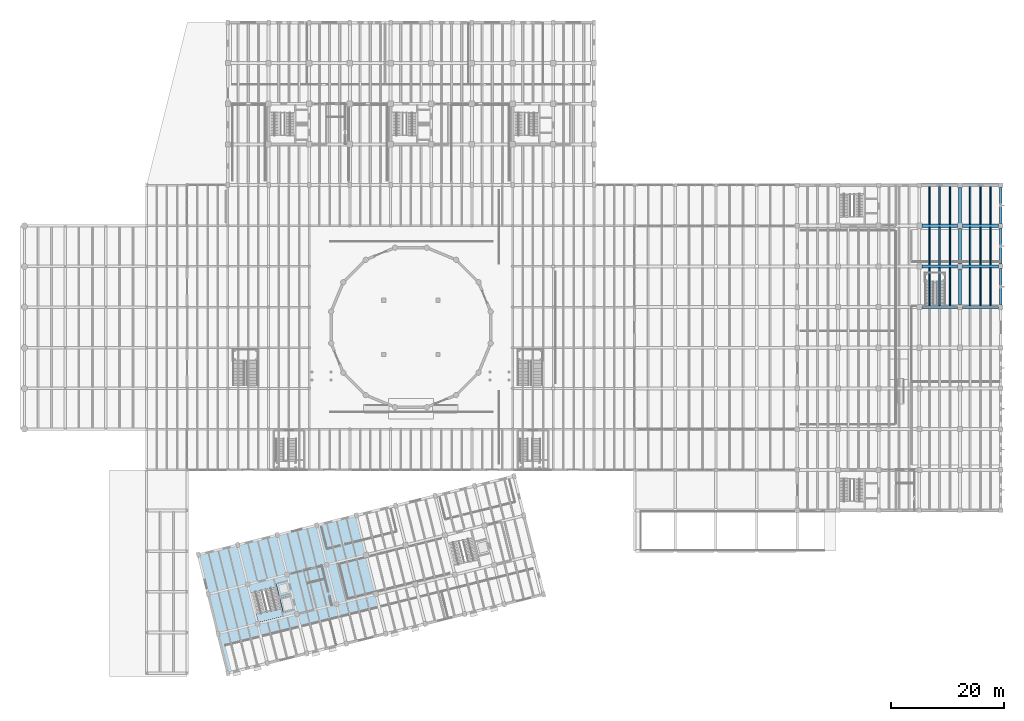
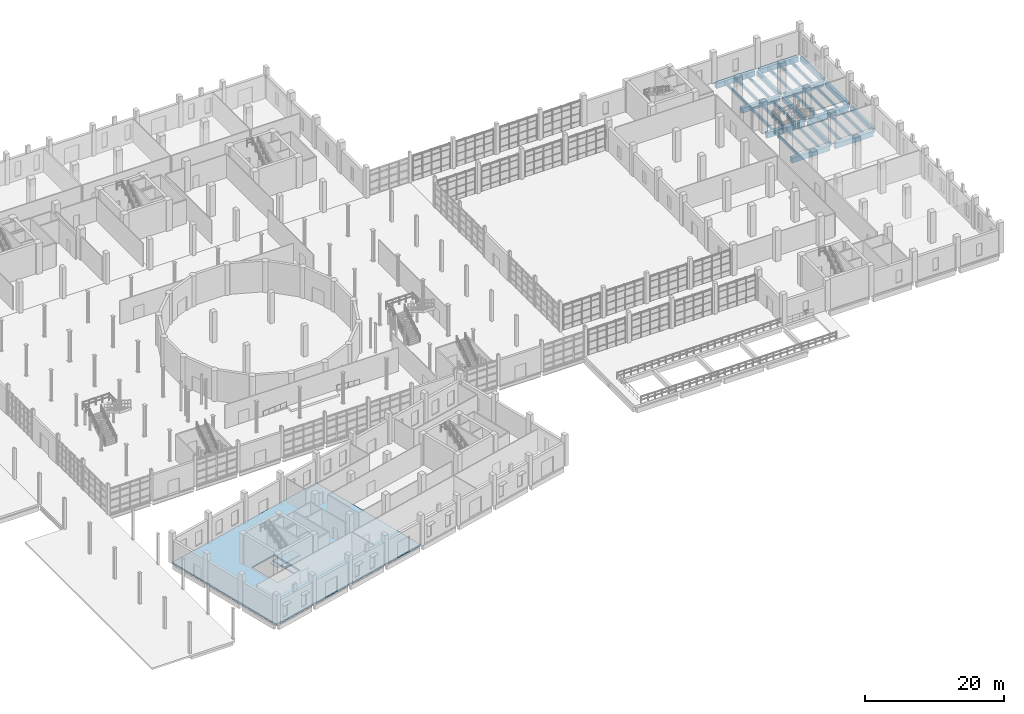
# One storey, part 47 of 79: 32 beams, 4 slabs, 1 element without a shape of its own.
"""IFC4 building model written with IfcOpenShell, lengths in metres."""

import ifcopenshell
import ifcopenshell.guid

model = None  # the IFC model being written
_history = None  # IfcOwnerHistory: only IFC2X3 demands one
_inside = {}  # id of a spatial element -> (the spatial element, [elements in it])
_under = {}  # id of a project, library or spatial element -> (it, [spatial elements below it])
_declared = {}  # id of a project -> (the project, [libraries it declares])
_typed = {}  # id of a type object -> (the type object, [elements of that type])
_made_of = {}  # id of a material, layer set ... -> (it, [elements and type objects made of it])


def new_model(schema):
    """Start an empty IFC model of exactly this schema.

    Asked for "IFC4X3", IfcOpenShell would pick the latest addendum, in which some entities
    have other attributes; the version numbers below select the first issue.
    IFC2X3 requires an IfcOwnerHistory on every rooted entity: one is made here for all.
    """
    global model, _history
    if schema == "IFC4X3":
        model = ifcopenshell.file(schema_version=(4, 3, 0, 0))
    else:
        model = ifcopenshell.file(schema=schema)
    _inside.clear()
    _under.clear()
    _declared.clear()
    _typed.clear()
    _made_of.clear()
    _history = None
    if model.schema == "IFC2X3":
        org = make("IfcOrganization", Name="unknown")
        user = make(
            "IfcPersonAndOrganization",
            ThePerson=make("IfcPerson", FamilyName="unknown"),
            TheOrganization=org,
        )
        app = make(
            "IfcApplication",
            ApplicationDeveloper=org,
            Version="unknown",
            ApplicationFullName="unknown",
            ApplicationIdentifier="unknown",
        )
        _history = make(
            "IfcOwnerHistory",
            OwningUser=user,
            OwningApplication=app,
            ChangeAction="ADDED",
            CreationDate=0,
        )
    return model


def make(cls, **values):
    """One entity of the class cls with the attributes given. An attribute that is None is left unset."""
    return model.create_entity(
        cls, **{name: value for name, value in values.items() if value is not None}
    )


def rooted(cls, **values):
    """An entity with a GlobalId (a new one), such as an element, a storey or a relation."""
    return make(cls, GlobalId=ifcopenshell.guid.new(), OwnerHistory=_history, **values)


def si_unit(unit_type, name, prefix=None):
    """IfcSIUnit, for example si_unit("LENGTHUNIT", "METRE", prefix="MILLI")."""
    return make("IfcSIUnit", UnitType=unit_type, Prefix=prefix, Name=name)


def assignment(units):
    """IfcUnitAssignment: the units of a project."""
    return None if units is None else make("IfcUnitAssignment", Units=units)


def point(xyz):
    """IfcCartesianPoint."""
    return None if xyz is None else make("IfcCartesianPoint", Coordinates=xyz)


def direction(xyz):
    """IfcDirection."""
    return None if xyz is None else make("IfcDirection", DirectionRatios=xyz)


def frame(location, z_axis=None, x_axis=None):
    """IfcAxis2Placement3D, a coordinate frame: its origin and axes. An axis left out is left unset."""
    return make(
        "IfcAxis2Placement3D",
        Location=point(location),
        Axis=direction(z_axis),
        RefDirection=direction(x_axis),
    )


def frame_2d(location, x_axis=None):
    """IfcAxis2Placement2D, a coordinate frame in the plane: its origin and x axis."""
    return make(
        "IfcAxis2Placement2D", Location=point(location), RefDirection=direction(x_axis)
    )


def origin():
    """The frame at (0, 0, 0) with its axes left unset."""
    return frame((0.0, 0.0, 0.0))


def origin_2d():
    """The frame at (0, 0) in the plane with its x axis left unset."""
    return frame_2d((0.0, 0.0))


def place(relative_to, where):
    """IfcLocalPlacement: puts the frame where relative to a parent placement (None: the world)."""
    return make(
        "IfcLocalPlacement", PlacementRelTo=relative_to, RelativePlacement=where
    )


def context(
    kind, dimensions, precision=None, world=None, true_north=None, identifier=None
):
    """IfcGeometricRepresentationContext, for example the 3D "Model" context."""
    return make(
        "IfcGeometricRepresentationContext",
        ContextIdentifier=identifier,
        ContextType=kind,
        CoordinateSpaceDimension=dimensions,
        Precision=precision,
        WorldCoordinateSystem=world,
        TrueNorth=true_north,
    )


def subcontext(parent, identifier, kind, view, scale=None):
    """IfcGeometricRepresentationSubContext, for example "Body" below "Model"."""
    return make(
        "IfcGeometricRepresentationSubContext",
        ContextIdentifier=identifier,
        ContextType=kind,
        ParentContext=parent,
        TargetScale=scale,
        TargetView=view,
    )


def project(units=None, contexts=None):
    """IfcProject with its units and contexts."""
    return rooted(
        "IfcProject",
        Name="project",
        RepresentationContexts=contexts,
        UnitsInContext=assignment(units),
    )


def spatial(cls, under=None, at=None, **own):
    """A site, building, storey or space (cls), placed at a placement, below another one or the project."""
    s = rooted(cls, ObjectPlacement=at, **own)
    if under is not None:
        _under.setdefault(under.id(), (under, []))[1].append(s)
    return s


def polyline(points):
    """IfcPolyline through the points."""
    return make("IfcPolyline", Points=[point(p) for p in points])


def profile(cls, at=None, kind="AREA", **sizes):
    """A parametric profile (cls). Its sizes go by their IFC names, for example OverallWidth=200.0."""
    return make(cls, ProfileType=kind, Position=at, **sizes)


def rectangle(**sizes):
    """IfcRectangleProfileDef."""
    return profile("IfcRectangleProfileDef", **sizes)


def outline(outer, holes=None, kind="AREA"):
    """IfcArbitraryClosedProfileDef: a profile drawn as a closed curve; with holes, ...WithVoids."""
    if holes is None:
        return make("IfcArbitraryClosedProfileDef", ProfileType=kind, OuterCurve=outer)
    return make(
        "IfcArbitraryProfileDefWithVoids",
        ProfileType=kind,
        OuterCurve=outer,
        InnerCurves=holes,
    )


def extrude(swept, where, along, depth):
    """IfcExtrudedAreaSolid: the profile swept, set in the frame where, extruded along a direction by depth."""
    return make(
        "IfcExtrudedAreaSolid",
        SweptArea=swept,
        Position=where,
        ExtrudedDirection=direction(along),
        Depth=depth,
    )


def shape(context_of_items, identifier, shape_type, items):
    """IfcShapeRepresentation: the items that make up one representation, for example the "Body"."""
    return make(
        "IfcShapeRepresentation",
        ContextOfItems=context_of_items,
        RepresentationIdentifier=identifier,
        RepresentationType=shape_type,
        Items=items,
    )


def material(Name=None, Category=None):
    """IfcMaterial."""
    return make("IfcMaterial", Name=Name, Category=Category)


def layer(
    of_material, thickness, ventilated=None, Name=None, Category=None, Priority=None
):
    """IfcMaterialLayer: one layer of a wall or slab, of a material (None: an air gap)."""
    return make(
        "IfcMaterialLayer",
        Material=of_material,
        LayerThickness=thickness,
        IsVentilated=ventilated,
        Name=Name,
        Category=Category,
        Priority=Priority,
    )


def layer_set(layers, Name=None):
    """IfcMaterialLayerSet."""
    return make("IfcMaterialLayerSet", MaterialLayers=layers, LayerSetName=Name)


def material_profile(
    of_material, cross_section, Name=None, Category=None, Priority=None
):
    """IfcMaterialProfile: a cross section and its material."""
    return make(
        "IfcMaterialProfile",
        Name=Name,
        Material=of_material,
        Profile=cross_section,
        Priority=Priority,
        Category=Category,
    )


def profile_set(profiles, Name=None, composite=None):
    """IfcMaterialProfileSet."""
    return make(
        "IfcMaterialProfileSet",
        Name=Name,
        MaterialProfiles=profiles,
        CompositeProfile=composite,
    )


def made_of(thing, what):
    """Note that an element or type object is made of a material, layer set ...; save() writes the relation."""
    if what is not None:
        _made_of.setdefault(what.id(), (what, []))[1].append(thing)
    return thing


def type_object(cls, material=None, **own):
    """A type object (cls), such as IfcWallType, which elements share."""
    return made_of(rooted(cls, **own), material)


def element(
    cls,
    number,
    at=None,
    inside=None,
    cuts=None,
    type_object=None,
    material=None,
    context=None,
    identifier="Body",
    shape_type=None,
    held_by="IfcProductDefinitionShape",
    body=None,
    shapes=None,
    **own,
):
    """One element of the class cls, such as IfcWall. Its Tag is "e" and its number.

    at: its placement. inside: the storey or other place that contains it. cuts: it is an
    opening in that element (IfcRelVoidsElement). A single representation is given by context,
    identifier, shape_type and body (its items); several are given by shapes. held_by: the class
    of the entity that holds the representations. save() writes the other relations.
    """
    e = rooted(cls, Tag="e%d" % number, ObjectPlacement=at, **own)
    if body is not None:
        shapes = [shape(context, identifier, shape_type, body)]
    if shapes is not None:
        e.Representation = make(held_by, Representations=shapes)
    if inside is not None:
        _inside.setdefault(inside.id(), (inside, []))[1].append(e)
    if cuts is not None:
        rooted(
            "IfcRelVoidsElement", RelatingBuildingElement=cuts, RelatedOpeningElement=e
        )
    if type_object is not None:
        _typed.setdefault(type_object.id(), (type_object, []))[1].append(e)
    return made_of(e, material)


def aggregate(whole, parts):
    """IfcRelAggregates: a whole, such as a stair, and the parts it consists of."""
    return rooted("IfcRelAggregates", RelatingObject=whole, RelatedObjects=parts)


def save(model, path):
    """Write the relations noted so far, then the file.

    IfcRelAggregates (storeys below a building ...), IfcRelContainedInSpatialStructure (elements
    in a storey), IfcRelDefinesByType, IfcRelAssociatesMaterial and IfcRelDeclares: one each for
    every whole, place, type object, material and project.
    """
    for whole, parts in _under.values():
        aggregate(whole, parts)
    for where, things in _inside.values():
        rooted(
            "IfcRelContainedInSpatialStructure",
            RelatedElements=things,
            RelatingStructure=where,
        )
    for kind, things in _typed.values():
        rooted("IfcRelDefinesByType", RelatedObjects=things, RelatingType=kind)
    for what, things in _made_of.values():
        rooted("IfcRelAssociatesMaterial", RelatedObjects=things, RelatingMaterial=what)
    for by, libraries in _declared.values():
        rooted("IfcRelDeclares", RelatingContext=by, RelatedDefinitions=libraries)
    model.write(path)


model = new_model("IFC4")

# Units and contexts
model_context = context("Model", 3, precision=1e-05, world=origin(), true_north=direction((0.0, 1.0)))
body_context = subcontext(model_context, "Body", "Model", "MODEL_VIEW")
ifc_project = project(units=[si_unit("LENGTHUNIT", "METRE"), si_unit("AREAUNIT", "SQUARE_METRE"), si_unit("VOLUMEUNIT", "CUBIC_METRE"), si_unit("PLANEANGLEUNIT", "RADIAN"), si_unit("MASSUNIT", "GRAM", prefix="KILO")], contexts=[model_context])

# Site, building, storey
site_placement = place(None, origin())
site = spatial("IfcSite", under=ifc_project, at=site_placement, CompositionType="ELEMENT")
building_placement = place(site_placement, origin())
building = spatial("IfcBuilding", under=site, at=building_placement, Name="Qiaolan Assembly House", CompositionType="ELEMENT")
storey_placement = place(building_placement, origin())
storey = spatial("IfcBuildingStorey", under=building, at=storey_placement, Name="L00", CompositionType="ELEMENT", Elevation=0.0)

# Beams
ifc_material_1 = material(Name="Concrete C40/50", Category="concrete")
ifc_material_profile_1 = material_profile(ifc_material_1, rectangle(XDim=0.449951171875, YDim=0.800048828125, at=origin_2d()), Name="RCB 450x800")
ifc_profile_set_1 = profile_set([ifc_material_profile_1], Name="Concrete C40/50")
beam_type_1 = type_object("IfcBeamType", Name="BM-RC-450x800", PredefinedType="BEAM", material=ifc_profile_set_1)
for number, where, z_axis, x_axis, name in (
    (1, (165.60009765625, 65.239990234375, -0.739990234375), (0.0, 1.0, 0.0), (-1.0, 0.0, 0.0), "GB-03 beam BMY-LB-L00-04-05"),
    (2, (165.60009765625, 72.43994140625, -0.739990234375), (0.0, 1.0, 0.0), (-1.0, 0.0, 0.0), "GB-03 beam BMY-LB-L00-04-06"),
):
    element("IfcBeam", number, at=place(storey_placement, frame(where, z_axis=z_axis, x_axis=x_axis)), inside=storey, type_object=beam_type_1, Name=name, PredefinedType="BEAM", context=body_context, shape_type="SweptSolid", body=[
        extrude(rectangle(XDim=0.449951171875, YDim=0.800048828125, at=origin_2d()), origin(), (0.0, 0.0, 1.0), 6.320068359375),
    ])
beam_1_placement = place(storey_placement, frame((165.60009765625, 79.639892578125, -0.739990234375), z_axis=(0.0, 1.0, 0.0), x_axis=(-1.0, 0.0, 0.0)))
element("IfcBeam", 3, at=beam_1_placement, inside=storey, type_object=beam_type_1, Name="GB-03 beam BMY-LB-L00-04-07", PredefinedType="BEAM", context=body_context, shape_type="SweptSolid", body=[
    extrude(rectangle(XDim=0.449951171875, YDim=0.800048828125, at=origin_2d()), origin(), (0.0, 0.0, 1.0), 6.3701171875),
])
for number, where, z_axis, x_axis, name in (
    (4, (172.800048828125, 65.18994140625, -0.739990234375), (0.0, 1.0, 0.0), (-1.0, 0.0, 0.0), "GB-03 beam BMY-LB-L00-05-05"),
    (5, (172.800048828125, 72.389892578125, -0.739990234375), (0.0, 1.0, 0.0), (-1.0, 0.0, 0.0), "GB-03 beam BMY-LB-L00-05-06"),
):
    element("IfcBeam", number, at=place(storey_placement, frame(where, z_axis=z_axis, x_axis=x_axis)), inside=storey, type_object=beam_type_1, Name=name, PredefinedType="BEAM", context=body_context, shape_type="SweptSolid", body=[
        extrude(rectangle(XDim=0.449951171875, YDim=0.800048828125, at=origin_2d()), origin(), (0.0, 0.0, 1.0), 6.420166015625),
    ])
beam_2_placement = place(storey_placement, frame((172.800048828125, 79.590087890625, -0.739990234375), z_axis=(0.0, 1.0, 0.0), x_axis=(-1.0, 0.0, 0.0)))
element("IfcBeam", 6, at=beam_2_placement, inside=storey, type_object=beam_type_1, Name="GB-03 beam BMY-LB-L00-05-07", PredefinedType="BEAM", context=body_context, shape_type="SweptSolid", body=[
    extrude(rectangle(XDim=0.449951171875, YDim=0.800048828125, at=origin_2d()), origin(), (0.0, 0.0, 1.0), 6.419921875),
])
ifc_material_2 = material(Name="Concrete C45/55", Category="concrete")
ifc_material_profile_2 = material_profile(ifc_material_2, rectangle(XDim=0.550048828125, YDim=0.89990234375, at=origin_2d()), Name="RCB 550x900")
ifc_profile_set_2 = profile_set([ifc_material_profile_2], Name="Concrete C45/55")
beam_type_2 = type_object("IfcBeamType", Name="BM-RC-550x900", PredefinedType="BEAM", material=ifc_profile_set_2)
beam_3_placement = place(storey_placement, frame((158.840087890625, 64.800048828125, -0.7900390625), z_axis=(1.0, 0.0, 0.0), x_axis=(0.0, 1.0, 0.0)))
element("IfcBeam", 7, at=beam_3_placement, inside=storey, type_object=beam_type_2, Name="GB-01 beam BMX-LB-L00-03-05", PredefinedType="BEAM", context=body_context, shape_type="SweptSolid", body=[
    extrude(rectangle(XDim=0.550048828125, YDim=0.89990234375, at=origin_2d()), origin(), (0.0, 0.0, 1.0), 6.31982421875),
])
beam_4_placement = place(storey_placement, frame((166.0400390625, 64.800048828125, -0.7900390625), z_axis=(1.0, 0.0, 0.0), x_axis=(0.0, 1.0, 0.0)))
element("IfcBeam", 8, at=beam_4_placement, inside=storey, type_object=beam_type_2, Name="GB-01 beam BMX-LB-L00-04-05", PredefinedType="BEAM", context=body_context, shape_type="SweptSolid", body=[
    extrude(rectangle(XDim=0.550048828125, YDim=0.89990234375, at=origin_2d()), origin(), (0.0, 0.0, 1.0), 6.369873046875),
])
beam_5_placement = place(storey_placement, frame((158.840087890625, 72.0, -0.7900390625), z_axis=(1.0, 0.0, 0.0), x_axis=(0.0, 1.0, 0.0)))
element("IfcBeam", 9, at=beam_5_placement, inside=storey, type_object=beam_type_2, Name="GB-01 beam BMX-LB-L00-03-06", PredefinedType="BEAM", context=body_context, shape_type="SweptSolid", body=[
    extrude(rectangle(XDim=0.550048828125, YDim=0.89990234375, at=origin_2d()), origin(), (0.0, 0.0, 1.0), 6.31982421875),
])
beam_6_placement = place(storey_placement, frame((166.0400390625, 72.0, -0.7900390625), z_axis=(1.0, 0.0, 0.0), x_axis=(0.0, 1.0, 0.0)))
element("IfcBeam", 10, at=beam_6_placement, inside=storey, type_object=beam_type_2, Name="GB-01 beam BMX-LB-L00-04-06", PredefinedType="BEAM", context=body_context, shape_type="SweptSolid", body=[
    extrude(rectangle(XDim=0.550048828125, YDim=0.89990234375, at=origin_2d()), origin(), (0.0, 0.0, 1.0), 6.369873046875),
])
beam_7_placement = place(storey_placement, frame((158.840087890625, 79.199951171875, -0.7900390625), z_axis=(1.0, 0.0, 0.0), x_axis=(0.0, 1.0, 0.0)))
element("IfcBeam", 11, at=beam_7_placement, inside=storey, type_object=beam_type_2, Name="GB-01 beam BMX-LB-L00-03-07", PredefinedType="BEAM", context=body_context, shape_type="SweptSolid", body=[
    extrude(rectangle(XDim=0.550048828125, YDim=0.89990234375, at=origin_2d()), origin(), (0.0, 0.0, 1.0), 6.31982421875),
])
beam_8_placement = place(storey_placement, frame((166.0400390625, 79.199951171875, -0.7900390625), z_axis=(1.0, 0.0, 0.0), x_axis=(0.0, 1.0, 0.0)))
element("IfcBeam", 12, at=beam_8_placement, inside=storey, type_object=beam_type_2, Name="GB-01 beam BMX-LB-L00-04-07", PredefinedType="BEAM", context=body_context, shape_type="SweptSolid", body=[
    extrude(rectangle(XDim=0.550048828125, YDim=0.89990234375, at=origin_2d()), origin(), (0.0, 0.0, 1.0), 6.369873046875),
])
for number, where, z_axis, x_axis, name in (
    (13, (158.7900390625, 86.39990234375, -0.7900390625), (1.0, 0.0, 0.0), (0.0, 1.0, 0.0), "GB-01 beam BMX-LB-L00-03-08"),
    (14, (165.989990234375, 86.39990234375, -0.7900390625), (1.0, 0.0, 0.0), (0.0, 1.0, 0.0), "GB-01 beam BMX-LB-L00-04-08"),
):
    element("IfcBeam", number, at=place(storey_placement, frame(where, z_axis=z_axis, x_axis=x_axis)), inside=storey, type_object=beam_type_2, Name=name, PredefinedType="BEAM", context=body_context, shape_type="SweptSolid", body=[
        extrude(rectangle(XDim=0.550048828125, YDim=0.89990234375, at=origin_2d()), origin(), (0.0, 0.0, 1.0), 6.419921875),
    ])
ifc_material_profile_3 = material_profile(ifc_material_1, rectangle(XDim=0.25, YDim=0.5, at=origin_2d()), Name="RCB 250x500")
ifc_profile_set_3 = profile_set([ifc_material_profile_3], Name="Concrete C40/50")
beam_type_3 = type_object("IfcBeamType", Name="JST-RC-250x500", PredefinedType="JOIST", material=ifc_profile_set_3)
for number, where, z_axis, x_axis, name in (
    (15, (160.199951171875, 65.069091796875, -0.590087890625), (0.0, 1.0, 0.0), (-1.0, 0.0, 0.0), "RJ-01 beam JST-LB-L00-03-05-1"),
    (16, (162.0, 65.069091796875, -0.590087890625), (0.0, 1.0, 0.0), (-1.0, 0.0, 0.0), "RJ-01 beam JST-LB-L00-03-05-2"),
    (17, (163.800048828125, 65.069091796875, -0.590087890625), (0.0, 1.0, 0.0), (-1.0, 0.0, 0.0), "RJ-01 beam JST-LB-L00-03-05-3"),
    (18, (160.199951171875, 72.26904296875, -0.590087890625), (0.0, 1.0, 0.0), (-1.0, 0.0, 0.0), "RJ-01 beam JST-LB-L00-03-06-1"),
    (19, (162.0, 72.26904296875, -0.590087890625), (0.0, 1.0, 0.0), (-1.0, 0.0, 0.0), "RJ-01 beam JST-LB-L00-03-06-2"),
    (20, (163.800048828125, 72.26904296875, -0.590087890625), (0.0, 1.0, 0.0), (-1.0, 0.0, 0.0), "RJ-01 beam JST-LB-L00-03-06-3"),
):
    element("IfcBeam", number, at=place(storey_placement, frame(where, z_axis=z_axis, x_axis=x_axis)), inside=storey, type_object=beam_type_3, Name=name, PredefinedType="JOIST", context=body_context, shape_type="SweptSolid", body=[
        extrude(rectangle(XDim=0.25, YDim=0.5, at=origin_2d()), origin(), (0.0, 0.0, 1.0), 6.661865234375),
    ])
for number, where, z_axis, x_axis, name in (
    (21, (160.199951171875, 79.468994140625, -0.590087890625), (0.0, 1.0, 0.0), (-1.0, 0.0, 0.0), "RJ-01 beam JST-LB-L00-03-07-1"),
    (22, (162.0, 79.468994140625, -0.590087890625), (0.0, 1.0, 0.0), (-1.0, 0.0, 0.0), "RJ-01 beam JST-LB-L00-03-07-2"),
    (23, (163.800048828125, 79.468994140625, -0.590087890625), (0.0, 1.0, 0.0), (-1.0, 0.0, 0.0), "RJ-01 beam JST-LB-L00-03-07-3"),
):
    element("IfcBeam", number, at=place(storey_placement, frame(where, z_axis=z_axis, x_axis=x_axis)), inside=storey, type_object=beam_type_3, Name=name, PredefinedType="JOIST", context=body_context, shape_type="SweptSolid", body=[
        extrude(rectangle(XDim=0.25, YDim=0.5, at=origin_2d()), origin(), (0.0, 0.0, 1.0), 6.662109375),
    ])
for number, where, z_axis, x_axis, name in (
    (24, (167.39990234375, 65.069091796875, -0.590087890625), (0.0, 1.0, 0.0), (-1.0, 0.0, 0.0), "RJ-01 beam JST-LB-L00-04-05-1"),
    (25, (169.199951171875, 65.069091796875, -0.590087890625), (0.0, 1.0, 0.0), (-1.0, 0.0, 0.0), "RJ-01 beam JST-LB-L00-04-05-2"),
    (26, (171.0, 65.069091796875, -0.590087890625), (0.0, 1.0, 0.0), (-1.0, 0.0, 0.0), "RJ-01 beam JST-LB-L00-04-05-3"),
    (27, (167.39990234375, 72.26904296875, -0.590087890625), (0.0, 1.0, 0.0), (-1.0, 0.0, 0.0), "RJ-01 beam JST-LB-L00-04-06-1"),
    (28, (169.199951171875, 72.26904296875, -0.590087890625), (0.0, 1.0, 0.0), (-1.0, 0.0, 0.0), "RJ-01 beam JST-LB-L00-04-06-2"),
    (29, (171.0, 72.26904296875, -0.590087890625), (0.0, 1.0, 0.0), (-1.0, 0.0, 0.0), "RJ-01 beam JST-LB-L00-04-06-3"),
):
    element("IfcBeam", number, at=place(storey_placement, frame(where, z_axis=z_axis, x_axis=x_axis)), inside=storey, type_object=beam_type_3, Name=name, PredefinedType="JOIST", context=body_context, shape_type="SweptSolid", body=[
        extrude(rectangle(XDim=0.25, YDim=0.5, at=origin_2d()), origin(), (0.0, 0.0, 1.0), 6.661865234375),
    ])
for number, where, z_axis, x_axis, name in (
    (30, (167.39990234375, 79.468994140625, -0.590087890625), (0.0, 1.0, 0.0), (-1.0, 0.0, 0.0), "RJ-01 beam JST-LB-L00-04-07-1"),
    (31, (169.199951171875, 79.468994140625, -0.590087890625), (0.0, 1.0, 0.0), (-1.0, 0.0, 0.0), "RJ-01 beam JST-LB-L00-04-07-2"),
    (32, (171.0, 79.468994140625, -0.590087890625), (0.0, 1.0, 0.0), (-1.0, 0.0, 0.0), "RJ-01 beam JST-LB-L00-04-07-3"),
):
    element("IfcBeam", number, at=place(storey_placement, frame(where, z_axis=z_axis, x_axis=x_axis)), inside=storey, type_object=beam_type_3, Name=name, PredefinedType="JOIST", context=body_context, shape_type="SweptSolid", body=[
        extrude(rectangle(XDim=0.25, YDim=0.5, at=origin_2d()), origin(), (0.0, 0.0, 1.0), 6.662109375),
    ])

# Slabs
ifc_layer_1 = layer(ifc_material_1, 0.25)
ifc_layer_set_1 = layer_set([ifc_layer_1], Name="Concrete C40/50")
slab_type_1 = type_object("IfcSlabType", Name="SLB-COMM-250", PredefinedType="FLOOR", material=ifc_layer_set_1)
slab_1_placement = place(storey_placement, frame((0.0, 0.0, -0.25)))
element("IfcSlab", 33, at=slab_1_placement, inside=storey, type_object=slab_type_1, Name="FS-01 South-East Splayed Wing West Plate L00", PredefinedType="FLOOR", context=body_context, shape_type="SweptSolid", body=[
    extrude(outline(polyline([(36.0, 0.0), (63.944580078125, 6.96728515625), (58.718994140625, 27.92578125), (30.7744140625, 20.95849609375), (36.0, 0.0)]), holes=[polyline([(40.095703125, 14.161376953125), (44.442626953125, 15.245361328125), (45.73681640625, 10.05419921875), (41.389892578125, 8.970458984375), (40.095703125, 14.161376953125)])]), origin(), (0.0, 0.0, 1.0), 0.25),
])
slab_2_placement = place(storey_placement, frame((0.0, 0.0, -1.64990234375)))
element("IfcSlab", 34, at=slab_2_placement, inside=storey, type_object=slab_type_1, Name="Lift pit base slab LF-06", PredefinedType="FLOOR", context=body_context, shape_type="SweptSolid", body=[
    extrude(outline(polyline([(45.80517578125, 10.689697265625), (45.1640625, 13.260986328125), (47.250244140625, 13.781005859375), (47.891357421875, 11.209716796875), (45.80517578125, 10.689697265625)])), origin(), (0.0, 0.0, 1.0), 0.25),
])
slab_3_placement = place(storey_placement, frame((0.0, 0.0, -1.64990234375)))
element("IfcSlab", 35, at=slab_3_placement, inside=storey, type_object=slab_type_1, Name="Lift pit base slab LF-07", PredefinedType="FLOOR", context=body_context, shape_type="SweptSolid", body=[
    extrude(outline(polyline([(45.091552734375, 13.552001953125), (44.510986328125, 15.880615234375), (46.59716796875, 16.40087890625), (47.177734375, 14.072021484375), (45.091552734375, 13.552001953125)])), origin(), (0.0, 0.0, 1.0), 0.25),
])

# Stair, slab
stair_type = type_object("IfcStairType", Name="STR-PODIUM-540", PredefinedType="THREE_QUARTER_TURN_STAIR", material=ifc_material_1)
stair_placement = place(storey_placement, origin())
stair = element("IfcStair", 36, at=stair_placement, inside=storey, type_object=stair_type, Name="ST-01 enclosed egress stair CORE-C L00", PredefinedType="THREE_QUARTER_TURN_STAIR")
ifc_layer_2 = layer(ifc_material_1, 0.199951171875)
ifc_layer_set_2 = layer_set([ifc_layer_2], Name="Concrete C40/50")
slab_type_2 = type_object("IfcSlabType", Name="SLB-LANDING-200", PredefinedType="LANDING", material=ifc_layer_set_2)
slab_4_placement = place(storey_placement, frame((0.0, 0.0, 2.5)))
slab_4 = element("IfcSlab", 37, at=slab_4_placement, type_object=slab_type_2, Name="Stair landing LND-CORE-C-L00-HL", PredefinedType="LANDING", context=body_context, shape_type="SweptSolid", body=[
    extrude(outline(polyline([(41.37548828125, 8.946044921875), (40.98583984375, 10.50830078125), (45.39111328125, 11.606689453125), (45.780517578125, 10.04443359375), (41.37548828125, 8.946044921875)])), origin(), (0.0, 0.0, 1.0), 0.199951171875),
])
aggregate(stair, [slab_4])

save(model, "model.ifc")
